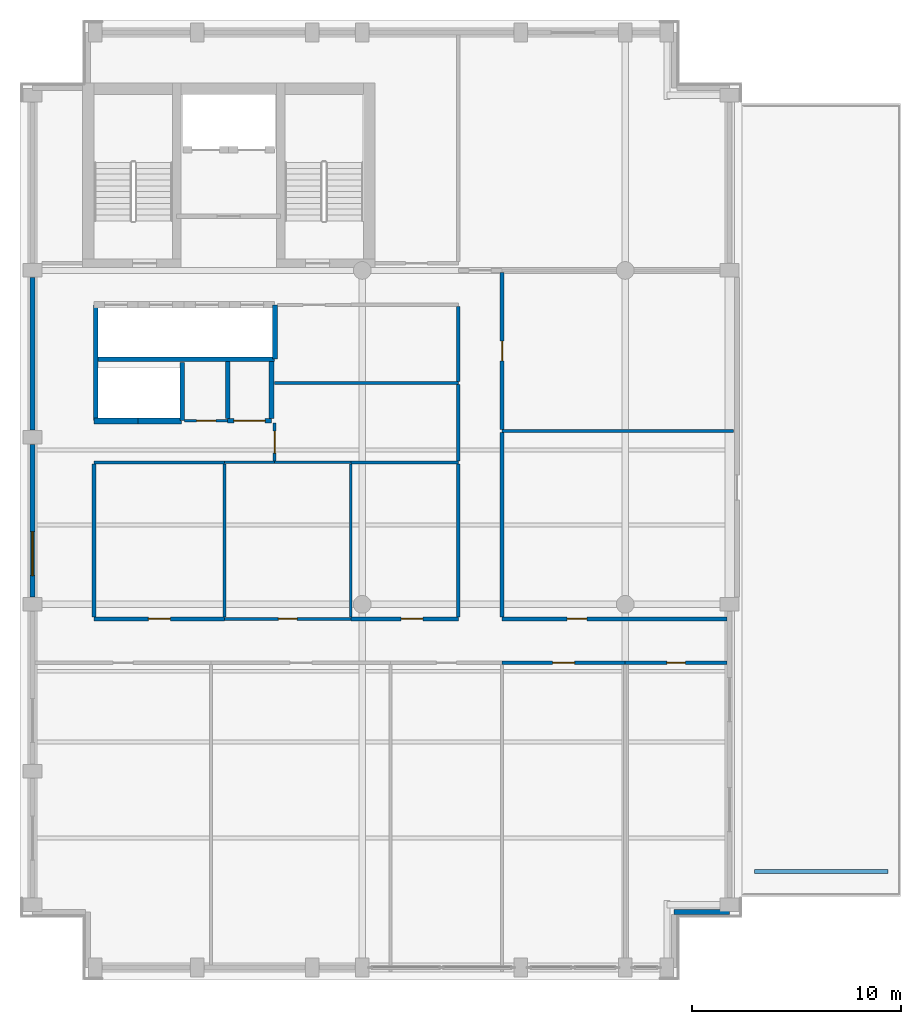
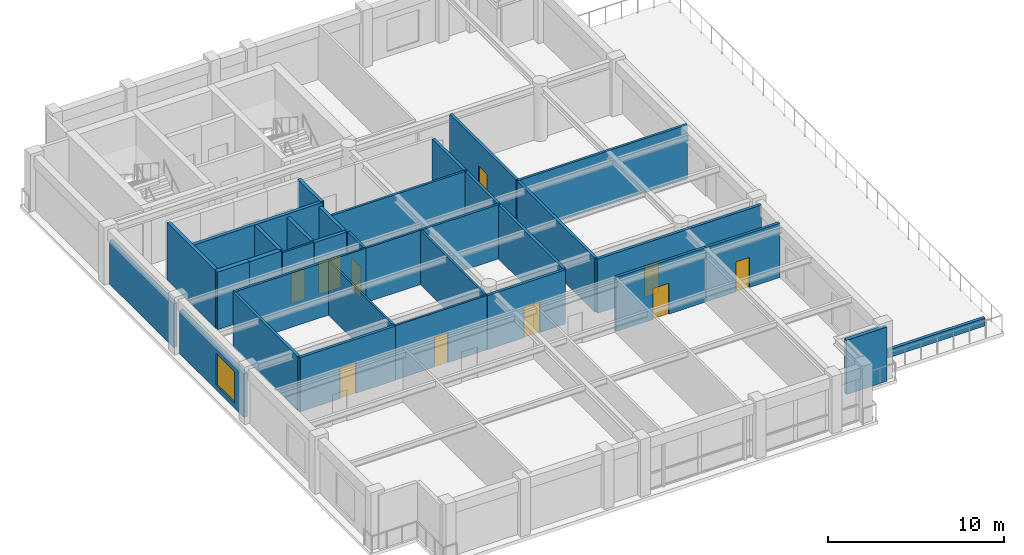
# One storey, part 4 of 9: 35 walls, 10 doors, 1 window, 11 openings.
"""IFC4 building model written with IfcOpenShell, lengths in metres."""

import ifcopenshell
import ifcopenshell.guid

model = None  # the IFC model being written
_history = None  # IfcOwnerHistory: only IFC2X3 demands one
_inside = {}  # id of a spatial element -> (the spatial element, [elements in it])
_under = {}  # id of a project, library or spatial element -> (it, [spatial elements below it])
_declared = {}  # id of a project -> (the project, [libraries it declares])
_typed = {}  # id of a type object -> (the type object, [elements of that type])
_made_of = {}  # id of a material, layer set ... -> (it, [elements and type objects made of it])


def new_model(schema):
    """Start an empty IFC model of exactly this schema.

    Asked for "IFC4X3", IfcOpenShell would pick the latest addendum, in which some entities
    have other attributes; the version numbers below select the first issue.
    IFC2X3 requires an IfcOwnerHistory on every rooted entity: one is made here for all.
    """
    global model, _history
    if schema == "IFC4X3":
        model = ifcopenshell.file(schema_version=(4, 3, 0, 0))
    else:
        model = ifcopenshell.file(schema=schema)
    _inside.clear()
    _under.clear()
    _declared.clear()
    _typed.clear()
    _made_of.clear()
    _history = None
    if model.schema == "IFC2X3":
        org = make("IfcOrganization", Name="unknown")
        user = make(
            "IfcPersonAndOrganization",
            ThePerson=make("IfcPerson", FamilyName="unknown"),
            TheOrganization=org,
        )
        app = make(
            "IfcApplication",
            ApplicationDeveloper=org,
            Version="unknown",
            ApplicationFullName="unknown",
            ApplicationIdentifier="unknown",
        )
        _history = make(
            "IfcOwnerHistory",
            OwningUser=user,
            OwningApplication=app,
            ChangeAction="ADDED",
            CreationDate=0,
        )
    return model


def make(cls, **values):
    """One entity of the class cls with the attributes given. An attribute that is None is left unset."""
    return model.create_entity(
        cls, **{name: value for name, value in values.items() if value is not None}
    )


def rooted(cls, **values):
    """An entity with a GlobalId (a new one), such as an element, a storey or a relation."""
    return make(cls, GlobalId=ifcopenshell.guid.new(), OwnerHistory=_history, **values)


def si_unit(unit_type, name, prefix=None):
    """IfcSIUnit, for example si_unit("LENGTHUNIT", "METRE", prefix="MILLI")."""
    return make("IfcSIUnit", UnitType=unit_type, Prefix=prefix, Name=name)


def assignment(units):
    """IfcUnitAssignment: the units of a project."""
    return None if units is None else make("IfcUnitAssignment", Units=units)


def point(xyz):
    """IfcCartesianPoint."""
    return None if xyz is None else make("IfcCartesianPoint", Coordinates=xyz)


def direction(xyz):
    """IfcDirection."""
    return None if xyz is None else make("IfcDirection", DirectionRatios=xyz)


def frame(location, z_axis=None, x_axis=None):
    """IfcAxis2Placement3D, a coordinate frame: its origin and axes. An axis left out is left unset."""
    return make(
        "IfcAxis2Placement3D",
        Location=point(location),
        Axis=direction(z_axis),
        RefDirection=direction(x_axis),
    )


def frame_2d(location, x_axis=None):
    """IfcAxis2Placement2D, a coordinate frame in the plane: its origin and x axis."""
    return make(
        "IfcAxis2Placement2D", Location=point(location), RefDirection=direction(x_axis)
    )


def origin():
    """The frame at (0, 0, 0) with its axes left unset."""
    return frame((0.0, 0.0, 0.0))


def place(relative_to, where):
    """IfcLocalPlacement: puts the frame where relative to a parent placement (None: the world)."""
    return make(
        "IfcLocalPlacement", PlacementRelTo=relative_to, RelativePlacement=where
    )


def context(
    kind, dimensions, precision=None, world=None, true_north=None, identifier=None
):
    """IfcGeometricRepresentationContext, for example the 3D "Model" context."""
    return make(
        "IfcGeometricRepresentationContext",
        ContextIdentifier=identifier,
        ContextType=kind,
        CoordinateSpaceDimension=dimensions,
        Precision=precision,
        WorldCoordinateSystem=world,
        TrueNorth=true_north,
    )


def subcontext(parent, identifier, kind, view, scale=None):
    """IfcGeometricRepresentationSubContext, for example "Body" below "Model"."""
    return make(
        "IfcGeometricRepresentationSubContext",
        ContextIdentifier=identifier,
        ContextType=kind,
        ParentContext=parent,
        TargetScale=scale,
        TargetView=view,
    )


def project(units=None, contexts=None):
    """IfcProject with its units and contexts."""
    return rooted(
        "IfcProject",
        Name="project",
        RepresentationContexts=contexts,
        UnitsInContext=assignment(units),
    )


def spatial(cls, under=None, at=None, **own):
    """A site, building, storey or space (cls), placed at a placement, below another one or the project."""
    s = rooted(cls, ObjectPlacement=at, **own)
    if under is not None:
        _under.setdefault(under.id(), (under, []))[1].append(s)
    return s


def profile(cls, at=None, kind="AREA", **sizes):
    """A parametric profile (cls). Its sizes go by their IFC names, for example OverallWidth=200.0."""
    return make(cls, ProfileType=kind, Position=at, **sizes)


def rectangle(**sizes):
    """IfcRectangleProfileDef."""
    return profile("IfcRectangleProfileDef", **sizes)


def extrude(swept, where, along, depth):
    """IfcExtrudedAreaSolid: the profile swept, set in the frame where, extruded along a direction by depth."""
    return make(
        "IfcExtrudedAreaSolid",
        SweptArea=swept,
        Position=where,
        ExtrudedDirection=direction(along),
        Depth=depth,
    )


def shape(context_of_items, identifier, shape_type, items):
    """IfcShapeRepresentation: the items that make up one representation, for example the "Body"."""
    return make(
        "IfcShapeRepresentation",
        ContextOfItems=context_of_items,
        RepresentationIdentifier=identifier,
        RepresentationType=shape_type,
        Items=items,
    )


def material(Name=None, Category=None):
    """IfcMaterial."""
    return make("IfcMaterial", Name=Name, Category=Category)


def layer(
    of_material, thickness, ventilated=None, Name=None, Category=None, Priority=None
):
    """IfcMaterialLayer: one layer of a wall or slab, of a material (None: an air gap)."""
    return make(
        "IfcMaterialLayer",
        Material=of_material,
        LayerThickness=thickness,
        IsVentilated=ventilated,
        Name=Name,
        Category=Category,
        Priority=Priority,
    )


def layer_set(layers, Name=None):
    """IfcMaterialLayerSet."""
    return make("IfcMaterialLayerSet", MaterialLayers=layers, LayerSetName=Name)


def made_of(thing, what):
    """Note that an element or type object is made of a material, layer set ...; save() writes the relation."""
    if what is not None:
        _made_of.setdefault(what.id(), (what, []))[1].append(thing)
    return thing


def type_object(cls, material=None, **own):
    """A type object (cls), such as IfcWallType, which elements share."""
    return made_of(rooted(cls, **own), material)


def element(
    cls,
    number,
    at=None,
    inside=None,
    cuts=None,
    type_object=None,
    material=None,
    context=None,
    identifier="Body",
    shape_type=None,
    held_by="IfcProductDefinitionShape",
    body=None,
    shapes=None,
    **own,
):
    """One element of the class cls, such as IfcWall. Its Tag is "e" and its number.

    at: its placement. inside: the storey or other place that contains it. cuts: it is an
    opening in that element (IfcRelVoidsElement). A single representation is given by context,
    identifier, shape_type and body (its items); several are given by shapes. held_by: the class
    of the entity that holds the representations. save() writes the other relations.
    """
    e = rooted(cls, Tag="e%d" % number, ObjectPlacement=at, **own)
    if body is not None:
        shapes = [shape(context, identifier, shape_type, body)]
    if shapes is not None:
        e.Representation = make(held_by, Representations=shapes)
    if inside is not None:
        _inside.setdefault(inside.id(), (inside, []))[1].append(e)
    if cuts is not None:
        rooted(
            "IfcRelVoidsElement", RelatingBuildingElement=cuts, RelatedOpeningElement=e
        )
    if type_object is not None:
        _typed.setdefault(type_object.id(), (type_object, []))[1].append(e)
    return made_of(e, material)


def fill(opening, filler):
    """IfcRelFillsElement: the door or window that sits in an opening."""
    return rooted(
        "IfcRelFillsElement",
        RelatingOpeningElement=opening,
        RelatedBuildingElement=filler,
    )


def aggregate(whole, parts):
    """IfcRelAggregates: a whole, such as a stair, and the parts it consists of."""
    return rooted("IfcRelAggregates", RelatingObject=whole, RelatedObjects=parts)


def save(model, path):
    """Write the relations noted so far, then the file.

    IfcRelAggregates (storeys below a building ...), IfcRelContainedInSpatialStructure (elements
    in a storey), IfcRelDefinesByType, IfcRelAssociatesMaterial and IfcRelDeclares: one each for
    every whole, place, type object, material and project.
    """
    for whole, parts in _under.values():
        aggregate(whole, parts)
    for where, things in _inside.values():
        rooted(
            "IfcRelContainedInSpatialStructure",
            RelatedElements=things,
            RelatingStructure=where,
        )
    for kind, things in _typed.values():
        rooted("IfcRelDefinesByType", RelatedObjects=things, RelatingType=kind)
    for what, things in _made_of.values():
        rooted("IfcRelAssociatesMaterial", RelatedObjects=things, RelatingMaterial=what)
    for by, libraries in _declared.values():
        rooted("IfcRelDeclares", RelatingContext=by, RelatedDefinitions=libraries)
    model.write(path)


model = new_model("IFC4")

# Units and contexts
model_context = context("Model", 3, precision=1e-05, world=origin(), true_north=direction((0.0, 1.0)))
body_context = subcontext(model_context, "Body", "Model", "MODEL_VIEW")
ifc_project = project(units=[si_unit("LENGTHUNIT", "METRE"), si_unit("AREAUNIT", "SQUARE_METRE"), si_unit("VOLUMEUNIT", "CUBIC_METRE"), si_unit("PLANEANGLEUNIT", "RADIAN"), si_unit("MASSUNIT", "GRAM", prefix="KILO")], contexts=[model_context])

# Site, building, storey
site_placement = place(None, origin())
site = spatial("IfcSite", under=ifc_project, at=site_placement, CompositionType="ELEMENT")
building_placement = place(site_placement, origin())
building = spatial("IfcBuilding", under=site, at=building_placement, Name="Sulina Concourse Tower", CompositionType="ELEMENT")
storey_placement = place(building_placement, frame((0.0, 0.0, 305.0)))
storey = spatial("IfcBuildingStorey", under=building, at=storey_placement, Name="L74", CompositionType="ELEMENT", Elevation=305.0)

# Walls
ifc_material_1 = material(Name="Concrete C50/60", Category="concrete")
ifc_layer_1 = layer(ifc_material_1, 0.219970703125)
ifc_layer_set_1 = layer_set([ifc_layer_1], Name="Concrete C50/60")
wall_type_1 = type_object("IfcWallType", Name="Core Lift Hoistway Divider Wall 220mm", PredefinedType="SOLIDWALL", material=ifc_layer_set_1)
wall_1_placement = place(storey_placement, frame((3.550048828125, 29.75, 0.0), z_axis=(0.0, 0.0, 1.0), x_axis=(1.0, 0.0, 0.0)))
element("IfcWall", 1, at=wall_1_placement, inside=storey, type_object=wall_type_1, Name="L74 shaft divider wall HW-LP3-S", PredefinedType="SOLIDWALL", context=body_context, shape_type="SweptSolid", body=[
    extrude(rectangle(XDim=8.64990234375, YDim=0.219970703125, at=frame_2d((4.324951171875, 0.0))), origin(), (0.0, 0.0, 1.0), 4.0),
])
wall_2_placement = place(storey_placement, frame((3.6298828125, 26.800048828125, 0.0), z_axis=(0.0, 0.0, 1.0), x_axis=(0.0, 1.0, 0.0)))
element("IfcWall", 2, at=wall_2_placement, inside=storey, type_object=wall_type_1, Name="L74 shaft divider wall HW-LP3-W", PredefinedType="SOLIDWALL", context=body_context, shape_type="SweptSolid", body=[
    extrude(rectangle(XDim=5.550048828125, YDim=0.219970703125, at=frame_2d((2.77490234375, 0.0))), origin(), (0.0, 0.0, 1.0), 4.0),
])
wall_3_placement = place(storey_placement, frame((7.780029296875, 26.800048828125, 0.0), z_axis=(0.0, 0.0, 1.0), x_axis=(0.0, 1.0, 0.0)))
element("IfcWall", 3, at=wall_3_placement, inside=storey, type_object=wall_type_1, Name="L74 shaft divider wall HW-EXP-E", PredefinedType="SOLIDWALL", context=body_context, shape_type="SweptSolid", body=[
    extrude(rectangle(XDim=2.800048828125, YDim=0.219970703125, at=frame_2d((1.39990234375, 0.0))), origin(), (0.0, 0.0, 1.0), 4.0),
])
wall_4_placement = place(storey_placement, frame((12.219970703125, 29.75, 0.0), z_axis=(0.0, 0.0, 1.0), x_axis=(0.0, 1.0, 0.0)))
element("IfcWall", 4, at=wall_4_placement, inside=storey, type_object=wall_type_1, Name="L74 shaft divider wall HW-LP3-E", PredefinedType="SOLIDWALL", context=body_context, shape_type="SweptSolid", body=[
    extrude(rectangle(XDim=2.60009765625, YDim=0.219970703125, at=frame_2d((1.300048828125, 0.0))), origin(), (0.0, 0.0, 1.0), 4.0),
])
ifc_material_2 = material(Name="Concrete C50/60", Category="concrete")
ifc_layer_2 = layer(ifc_material_2, 0.300048828125)
ifc_layer_set_2 = layer_set([ifc_layer_2], Name="Concrete C50/60")
wall_type_2 = type_object("IfcWallType", Name="Core Lift Hoistway Wall 300mm", PredefinedType="SOLIDWALL", material=ifc_layer_set_2)
wall_5_placement = place(storey_placement, frame((5.64990234375, 26.780029296875, 0.0), z_axis=(0.0, 0.0, 1.0), x_axis=(-1.0, 0.0, 0.0)))
element("IfcWall", 5, at=wall_5_placement, inside=storey, type_object=wall_type_2, Name="L74 hoistway enclosure wall EXP-1", PredefinedType="SOLIDWALL", context=body_context, shape_type="SweptSolid", body=[
    extrude(rectangle(XDim=2.099853515625, YDim=0.300048828125, at=frame_2d((1.0498046875, 0.0))), origin(), (0.0, 0.0, 1.0), 4.0),
])
wall_6_placement = place(storey_placement, frame((7.75, 26.780029296875, 0.0), z_axis=(0.0, 0.0, 1.0), x_axis=(-1.0, 0.0, 0.0)))
element("IfcWall", 6, at=wall_6_placement, inside=storey, type_object=wall_type_2, Name="L74 hoistway enclosure wall EXP-2", PredefinedType="SOLIDWALL", context=body_context, shape_type="SweptSolid", body=[
    extrude(rectangle(XDim=2.10009765625, YDim=0.300048828125, at=frame_2d((1.050048828125, 0.0))), origin(), (0.0, 0.0, 1.0), 4.0),
])

# Wall, opening, window
ifc_material_3 = material(Name="Precast concrete C50/60", Category="concrete")
ifc_layer_3 = layer(ifc_material_3, 0.239990234375)
ifc_layer_set_3 = layer_set([ifc_layer_3], Name="Precast concrete C50/60")
wall_type_3 = type_object("IfcWallType", Name="Crown Precast Masonry-Frame Facade Wall 240mm", PredefinedType="SOLIDWALL", material=ifc_layer_set_3)
wall_7_placement = place(storey_placement, frame((0.60009765625, 18.344970703125, 0.0), z_axis=(0.0, 0.0, 1.0), x_axis=(0.0, 1.0, 0.0)))
wall_7 = element("IfcWall", 7, at=wall_7_placement, inside=storey, type_object=wall_type_3, Name="L74 exterior precast wall W3", PredefinedType="SOLIDWALL", context=body_context, shape_type="SweptSolid", body=[
    extrude(rectangle(XDim=7.31005859375, YDim=0.239990234375, at=frame_2d((3.655029296875, 0.0))), origin(), (0.0, 0.0, 1.0), 3.02490234375),
])
opening_1_placement = place(wall_7_placement, frame((1.03662109375, 0.0, 0.35009765625)))
opening_1 = element("IfcOpeningElement", 8, at=opening_1_placement, cuts=wall_7, Name="Opening WN-33", PredefinedType="OPENING", context=body_context, shape_type="SweptSolid", body=[
    extrude(rectangle(XDim=2.10009765625, YDim=2.199951171875, at=frame_2d((1.050048828125, 1.10009765625))), frame((0.0, 0.1298828125, 0.0), z_axis=(0.0, -1.0, 0.0), x_axis=(1.0, 0.0, 0.0)), (0.0, 0.0, 1.0), 0.260009765625),
])
ifc_material_4 = material(Name="Low-E solar double glazing in bronze aluminium", Category="aluminium")
window_type = type_object("IfcWindowType", Name="Punched Masonry-Frame Window 2100x2200", PartitioningType="DOUBLE_PANEL_VERTICAL", PredefinedType="WINDOW", material=ifc_material_4)
window_placement = place(opening_1_placement, origin())
window = element("IfcWindow", 9, at=window_placement, inside=storey, type_object=window_type, Name="L74 punched window W3-1", OverallHeight=2.199951171875, OverallWidth=2.10009765625, PartitioningType="SINGLE_PANEL", PredefinedType="WINDOW", context=body_context, shape_type="SweptSolid", body=[
    extrude(rectangle(XDim=2.10009765625, YDim=2.199951171875, at=frame_2d((1.050048828125, 1.10009765625))), frame((0.0, 0.030029296875, 0.0), z_axis=(0.0, -1.0, 0.0), x_axis=(1.0, 0.0, 0.0)), (0.0, 0.0, 1.0), 0.06005859375),
])
fill(opening_1, window)

# Walls
wall_8_placement = place(storey_placement, frame((0.60009765625, 26.344970703125, 0.0), z_axis=(0.0, 0.0, 1.0), x_axis=(0.0, 1.0, 0.0)))
element("IfcWall", 10, at=wall_8_placement, inside=storey, type_object=wall_type_3, Name="L74 exterior precast wall W4", PredefinedType="SOLIDWALL", context=body_context, shape_type="SweptSolid", body=[
    extrude(rectangle(XDim=7.31005859375, YDim=0.239990234375, at=frame_2d((3.655029296875, 0.0))), origin(), (0.0, 0.0, 1.0), 3.02490234375),
])
wall_9_placement = place(storey_placement, frame((34.0, 3.2548828125, 0.0), z_axis=(0.0, 0.0, 1.0), x_axis=(-1.0, 0.0, 0.0)))
element("IfcWall", 11, at=wall_9_placement, inside=storey, type_object=wall_type_3, Name="L74 exterior precast wall CSE1", PredefinedType="SOLIDWALL", context=body_context, shape_type="SweptSolid", body=[
    extrude(rectangle(XDim=2.655029296875, YDim=0.239990234375, at=frame_2d((1.32763671875, 0.0))), origin(), (0.0, 0.0, 1.0), 3.77490234375),
])

# Wall, opening, door
ifc_material_5 = material(Name="Gypsum board on steel stud", Category="steel")
ifc_layer_4 = layer(ifc_material_5, 0.219970703125)
ifc_layer_set_4 = layer_set([ifc_layer_4], Name="Gypsum board on steel stud")
wall_type_4 = type_object("IfcWallType", Name="Fire-Rated Lobby & Compartment Wall 220mm", PredefinedType="PARTITIONING", material=ifc_layer_set_4)
wall_10_placement = place(storey_placement, frame((9.949951171875, 26.800048828125, 0.0), z_axis=(0.0, 0.0, 1.0), x_axis=(1.0, 0.0, 0.0)))
wall_10 = element("IfcWall", 12, at=wall_10_placement, inside=storey, type_object=wall_type_4, Name="L74 interior partition 016", PredefinedType="PARTITIONING", context=body_context, shape_type="SweptSolid", body=[
    extrude(rectangle(XDim=2.10009765625, YDim=0.219970703125, at=frame_2d((1.050048828125, 0.0))), origin(), (0.0, 0.0, 1.0), 3.77490234375),
])
opening_2_placement = place(wall_10_placement, frame((0.300048828125, 0.0, 0.0)))
opening_2 = element("IfcOpeningElement", 13, at=opening_2_placement, cuts=wall_10, Name="Opening DR-80", PredefinedType="OPENING", context=body_context, shape_type="SweptSolid", body=[
    extrude(rectangle(XDim=1.5, YDim=2.25, at=frame_2d((0.75, 1.125))), frame((0.0, 0.119873046875, 0.0), z_axis=(0.0, -1.0, 0.0), x_axis=(1.0, 0.0, 0.0)), (0.0, 0.0, 1.0), 0.239990234375),
])
ifc_material_6 = material(Name="Galvanised steel acoustic fire leaf", Category="steel")
ifc_layer_5 = layer(ifc_material_6, 0.054931640625)
ifc_layer_set_5 = layer_set([ifc_layer_5], Name="Galvanised steel acoustic fire leaf")
door_type_1 = type_object("IfcDoorType", Name="Mechanical Plant Double Fire Door 1500x2250", OperationType="DOUBLE_DOOR_SINGLE_SWING", PredefinedType="DOOR", material=ifc_layer_set_5)
door_1_placement = place(opening_2_placement, origin())
door_1 = element("IfcDoor", 14, at=door_1_placement, inside=storey, type_object=door_type_1, Name="L74 interior door L74-IT-IDF", OperationType="DOUBLE_DOOR_SINGLE_SWING", OverallHeight=2.25, OverallWidth=1.5, PredefinedType="DOOR", context=body_context, shape_type="SweptSolid", body=[
    extrude(rectangle(XDim=1.5, YDim=2.25, at=frame_2d((0.75, 1.125))), frame((0.0, 0.02490234375, 0.0), z_axis=(0.0, -1.0, 0.0), x_axis=(1.0, 0.0, 0.0)), (0.0, 0.0, 1.0), 0.050048828125),
])
fill(opening_2, door_1)

# Walls
for number, where, z_axis, x_axis, name in (
    (15, (9.949951171875, 26.909912109375, 0.0), (0.0, 0.0, 1.0), (0.0, 1.0, 0.0), "L74 interior partition 028"),
    (16, (12.050048828125, 26.909912109375, 0.0), (0.0, 0.0, 1.0), (0.0, 1.0, 0.0), "L74 interior partition 029"),
):
    element("IfcWall", number, at=place(storey_placement, frame(where, z_axis=z_axis, x_axis=x_axis)), inside=storey, type_object=wall_type_4, Name=name, PredefinedType="PARTITIONING", context=body_context, shape_type="SweptSolid", body=[
        extrude(rectangle(XDim=2.72998046875, YDim=0.219970703125, at=frame_2d((1.364990234375, 0.0))), origin(), (0.0, 0.0, 1.0), 3.77490234375),
    ])
ifc_material_7 = material(Name="Gypsum board on steel stud", Category="steel")
ifc_layer_6 = layer(ifc_material_7, 0.14990234375)
ifc_layer_set_6 = layer_set([ifc_layer_6], Name="Gypsum board on steel stud")
wall_type_5 = type_object("IfcWallType", Name="Inter-Tenancy Acoustic Partition 150mm", PredefinedType="PARTITIONING", material=ifc_layer_set_6)
wall_11_placement = place(storey_placement, frame((3.550048828125, 24.800048828125, 0.0), z_axis=(0.0, 0.0, 1.0), x_axis=(1.0, 0.0, 0.0)))
element("IfcWall", 17, at=wall_11_placement, inside=storey, type_object=wall_type_5, Name="L74 interior partition 010", PredefinedType="PARTITIONING", context=body_context, shape_type="SweptSolid", body=[
    extrude(rectangle(XDim=6.25, YDim=0.14990234375, at=frame_2d((3.125, 0.0))), origin(), (0.0, 0.0, 1.0), 3.77490234375),
])
wall_12_placement = place(storey_placement, frame((15.85009765625, 24.800048828125, 0.0), z_axis=(0.0, 0.0, 1.0), x_axis=(1.0, 0.0, 0.0)))
element("IfcWall", 18, at=wall_12_placement, inside=storey, type_object=wall_type_5, Name="L74 interior partition 013", PredefinedType="PARTITIONING", context=body_context, shape_type="SweptSolid", body=[
    extrude(rectangle(XDim=5.14990234375, YDim=0.14990234375, at=frame_2d((2.574951171875, 0.0))), origin(), (0.0, 0.0, 1.0), 3.77490234375),
])
wall_13_placement = place(storey_placement, frame((23.10009765625, 26.300048828125, 0.0), z_axis=(0.0, 0.0, 1.0), x_axis=(1.0, 0.0, 0.0)))
element("IfcWall", 19, at=wall_13_placement, inside=storey, type_object=wall_type_5, Name="L74 interior partition 014", PredefinedType="PARTITIONING", context=body_context, shape_type="SweptSolid", body=[
    extrude(rectangle(XDim=11.099853515625, YDim=0.14990234375, at=frame_2d((5.5498046875, 0.0))), origin(), (0.0, 0.0, 1.0), 3.77490234375),
])
wall_14_placement = place(storey_placement, frame((12.199951171875, 28.60009765625, 0.0), z_axis=(0.0, 0.0, 1.0), x_axis=(1.0, 0.0, 0.0)))
element("IfcWall", 20, at=wall_14_placement, inside=storey, type_object=wall_type_5, Name="L74 interior partition 017", PredefinedType="PARTITIONING", context=body_context, shape_type="SweptSolid", body=[
    extrude(rectangle(XDim=8.800048828125, YDim=0.14990234375, at=frame_2d((4.39990234375, 0.0))), origin(), (0.0, 0.0, 1.0), 3.77490234375),
])

# Wall, opening, door
wall_15_placement = place(storey_placement, frame((12.199951171875, 24.862548828125, 0.0), z_axis=(0.0, 0.0, 1.0), x_axis=(0.0, 1.0, 0.0)))
wall_15 = element("IfcWall", 21, at=wall_15_placement, inside=storey, type_object=wall_type_5, Name="L74 interior partition 030", PredefinedType="PARTITIONING", context=body_context, shape_type="SweptSolid", body=[
    extrude(rectangle(XDim=1.827392578125, YDim=0.14990234375, at=frame_2d((0.91357421875, 0.0))), origin(), (0.0, 0.0, 1.0), 3.77490234375),
])
opening_3_placement = place(wall_15_placement, frame((0.388916015625, 0.0, 0.0)))
opening_3 = element("IfcOpeningElement", 22, at=opening_3_placement, cuts=wall_15, Name="Opening DR-37", PredefinedType="OPENING", context=body_context, shape_type="SweptSolid", body=[
    extrude(rectangle(XDim=1.050048828125, YDim=2.14990234375, at=frame_2d((0.52490234375, 1.074951171875))), frame((0.0, 0.0849609375, 0.0), z_axis=(0.0, -1.0, 0.0), x_axis=(1.0, 0.0, 0.0)), (0.0, 0.0, 1.0), 0.169921875),
])
ifc_material_8 = material(Name="Oak-veneered fire door leaf")
ifc_layer_7 = layer(ifc_material_8, 0.050048828125)
ifc_layer_set_7 = layer_set([ifc_layer_7], Name="Oak-veneered fire door leaf")
door_type_2 = type_object("IfcDoorType", Name="Tenant Suite Entrance Fire Door 1050x2150", OperationType="NOTDEFINED", PredefinedType="DOOR", material=ifc_layer_set_7)
door_2_placement = place(opening_3_placement, origin())
door_2 = element("IfcDoor", 23, at=door_2_placement, inside=storey, type_object=door_type_2, Name="L74 interior door L74-MR-MRG1", OperationType="SINGLE_SWING_LEFT", OverallHeight=2.14990234375, OverallWidth=1.050048828125, PredefinedType="DOOR", context=body_context, shape_type="SweptSolid", body=[
    extrude(rectangle(XDim=1.050048828125, YDim=2.14990234375, at=frame_2d((0.52490234375, 1.074951171875))), frame((0.0, 0.02490234375, 0.0), z_axis=(0.0, -1.0, 0.0), x_axis=(1.0, 0.0, 0.0)), (0.0, 0.0, 1.0), 0.050048828125),
])
fill(opening_3, door_2)

# Wall
ifc_material_9 = material(Name="Precast concrete C50/60", Category="concrete")
ifc_layer_8 = layer(ifc_material_9, 0.199951171875)
ifc_layer_set_8 = layer_set([ifc_layer_8], Name="Precast concrete C50/60")
wall_type_6 = type_object("IfcWallType", Name="Landscaped Terrace Planter Wall 200mm", PredefinedType="USERDEFINED", material=ifc_layer_set_8)
wall_16_placement = place(storey_placement, frame((35.199951171875, 5.199951171875, 0.0), z_axis=(0.0, 0.0, 1.0), x_axis=(1.0, 0.0, 0.0)))
element("IfcWall", 24, at=wall_16_placement, inside=storey, type_object=wall_type_6, Name="L74 landscaped terrace planter wall TER-CR3", ObjectType="PLANTER", PredefinedType="USERDEFINED", context=body_context, shape_type="SweptSolid", body=[
    extrude(rectangle(XDim=6.400146484375, YDim=0.199951171875, at=frame_2d((3.2001953125, 0.0))), origin(), (0.0, 0.0, 1.0), 0.550048828125),
])

# Wall, opening, door
ifc_material_10 = material(Name="Gypsum board on steel stud", Category="steel")
ifc_layer_9 = layer(ifc_material_10, 0.179931640625)
ifc_layer_set_9 = layer_set([ifc_layer_9], Name="Gypsum board on steel stud")
wall_type_7 = type_object("IfcWallType", Name="Protected Corridor & Riser Partition 180mm", PredefinedType="PARTITIONING", material=ifc_layer_set_9)
wall_17_placement = place(storey_placement, frame((23.10009765625, 15.199951171875, 0.0), z_axis=(0.0, 0.0, 1.0), x_axis=(1.0, 0.0, 0.0)))
wall_17 = element("IfcWall", 25, at=wall_17_placement, inside=storey, type_object=wall_type_7, Name="L74 interior partition 004", PredefinedType="PARTITIONING", context=body_context, shape_type="SweptSolid", body=[
    extrude(rectangle(XDim=5.89990234375, YDim=0.179931640625, at=frame_2d((2.949951171875, 0.0))), origin(), (0.0, 0.0, 1.0), 3.77490234375),
])
opening_4_placement = place(wall_17_placement, frame((2.425048828125, 0.0, 0.0)))
opening_4 = element("IfcOpeningElement", 26, at=opening_4_placement, cuts=wall_17, Name="Opening DR-37", PredefinedType="OPENING", context=body_context, shape_type="SweptSolid", body=[
    extrude(rectangle(XDim=1.050048828125, YDim=2.14990234375, at=frame_2d((0.52490234375, 1.074951171875))), frame((0.0, 0.099853515625, 0.0), z_axis=(0.0, -1.0, 0.0), x_axis=(1.0, 0.0, 0.0)), (0.0, 0.0, 1.0), 0.199951171875),
])
door_3_placement = place(opening_4_placement, origin())
door_3 = element("IfcDoor", 27, at=door_3_placement, inside=storey, type_object=door_type_2, Name="L74 interior door L74-S04", OperationType="SINGLE_SWING_LEFT", OverallHeight=2.14990234375, OverallWidth=1.050048828125, PredefinedType="DOOR", context=body_context, shape_type="SweptSolid", body=[
    extrude(rectangle(XDim=1.050048828125, YDim=2.14990234375, at=frame_2d((0.52490234375, 1.074951171875))), frame((0.0, 0.02490234375, 0.0), z_axis=(0.0, -1.0, 0.0), x_axis=(1.0, 0.0, 0.0)), (0.0, 0.0, 1.0), 0.050048828125),
])
fill(opening_4, door_3)

wall_18_placement = place(storey_placement, frame((29.0, 15.199951171875, 0.0), z_axis=(0.0, 0.0, 1.0), x_axis=(1.0, 0.0, 0.0)))
wall_18 = element("IfcWall", 28, at=wall_18_placement, inside=storey, type_object=wall_type_7, Name="L74 interior partition 005", PredefinedType="PARTITIONING", context=body_context, shape_type="SweptSolid", body=[
    extrude(rectangle(XDim=4.8798828125, YDim=0.179931640625, at=frame_2d((2.43994140625, 0.0))), origin(), (0.0, 0.0, 1.0), 3.77490234375),
])
opening_5_placement = place(wall_18_placement, frame((2.0, 0.0, 0.0)))
opening_5 = element("IfcOpeningElement", 29, at=opening_5_placement, cuts=wall_18, Name="Opening DR-38", PredefinedType="OPENING", context=body_context, shape_type="SweptSolid", body=[
    extrude(rectangle(XDim=0.8798828125, YDim=2.10009765625, at=frame_2d((0.43994140625, 1.050048828125))), frame((0.0, 0.099853515625, 0.0), z_axis=(0.0, -1.0, 0.0), x_axis=(1.0, 0.0, 0.0)), (0.0, 0.0, 1.0), 0.199951171875),
])
ifc_material_11 = material(Name="Galvanised steel acoustic fire leaf", Category="steel")
ifc_layer_10 = layer(ifc_material_11, 0.050048828125)
ifc_layer_set_10 = layer_set([ifc_layer_10], Name="Galvanised steel acoustic fire leaf")
door_type_3 = type_object("IfcDoorType", Name="Service Riser Fire Door 880x2100", OperationType="NOTDEFINED", PredefinedType="DOOR", material=ifc_layer_set_10)
door_4_placement = place(opening_5_placement, origin())
door_4 = element("IfcDoor", 30, at=door_4_placement, inside=storey, type_object=door_type_3, Name="L74 interior door L74-S05", OperationType="SINGLE_SWING_RIGHT", OverallHeight=2.10009765625, OverallWidth=0.8798828125, PredefinedType="DOOR", context=body_context, shape_type="SweptSolid", body=[
    extrude(rectangle(XDim=0.8798828125, YDim=2.10009765625, at=frame_2d((0.43994140625, 1.050048828125))), frame((0.0, 0.02490234375, 0.0), z_axis=(0.0, -1.0, 0.0), x_axis=(1.0, 0.0, 0.0)), (0.0, 0.0, 1.0), 0.050048828125),
])
fill(opening_5, door_4)

wall_19_placement = place(storey_placement, frame((3.550048828125, 17.300048828125, 0.0), z_axis=(0.0, 0.0, 1.0), x_axis=(1.0, 0.0, 0.0)))
wall_19 = element("IfcWall", 31, at=wall_19_placement, inside=storey, type_object=wall_type_7, Name="L74 interior partition 006", PredefinedType="PARTITIONING", context=body_context, shape_type="SweptSolid", body=[
    extrude(rectangle(XDim=6.25, YDim=0.179931640625, at=frame_2d((3.125, 0.0))), origin(), (0.0, 0.0, 1.0), 3.77490234375),
])
opening_6_placement = place(wall_19_placement, frame((2.60009765625, 0.0, 0.0)))
opening_6 = element("IfcOpeningElement", 32, at=opening_6_placement, cuts=wall_19, Name="Opening DR-37", PredefinedType="OPENING", context=body_context, shape_type="SweptSolid", body=[
    extrude(rectangle(XDim=1.050048828125, YDim=2.14990234375, at=frame_2d((0.52490234375, 1.074951171875))), frame((0.0, 0.099853515625, 0.0), z_axis=(0.0, -1.0, 0.0), x_axis=(1.0, 0.0, 0.0)), (0.0, 0.0, 1.0), 0.199951171875),
])
door_5_placement = place(opening_6_placement, origin())
door_5 = element("IfcDoor", 33, at=door_5_placement, inside=storey, type_object=door_type_2, Name="L74 interior door L74-LR-MRG1", OperationType="SINGLE_SWING_LEFT", OverallHeight=2.14990234375, OverallWidth=1.050048828125, PredefinedType="DOOR", context=body_context, shape_type="SweptSolid", body=[
    extrude(rectangle(XDim=1.050048828125, YDim=2.14990234375, at=frame_2d((0.52490234375, 1.074951171875))), frame((0.0, 0.02490234375, 0.0), z_axis=(0.0, -1.0, 0.0), x_axis=(1.0, 0.0, 0.0)), (0.0, 0.0, 1.0), 0.050048828125),
])
fill(opening_6, door_5)

wall_20_placement = place(storey_placement, frame((15.85009765625, 17.300048828125, 0.0), z_axis=(0.0, 0.0, 1.0), x_axis=(1.0, 0.0, 0.0)))
wall_20 = element("IfcWall", 34, at=wall_20_placement, inside=storey, type_object=wall_type_7, Name="L74 interior partition 008", PredefinedType="PARTITIONING", context=body_context, shape_type="SweptSolid", body=[
    extrude(rectangle(XDim=5.14990234375, YDim=0.179931640625, at=frame_2d((2.574951171875, 0.0))), origin(), (0.0, 0.0, 1.0), 3.77490234375),
])
opening_7_placement = place(wall_20_placement, frame((2.409912109375, 0.0, 0.0)))
opening_7 = element("IfcOpeningElement", 35, at=opening_7_placement, cuts=wall_20, Name="Opening DR-37", PredefinedType="OPENING", context=body_context, shape_type="SweptSolid", body=[
    extrude(rectangle(XDim=1.050048828125, YDim=2.14990234375, at=frame_2d((0.52490234375, 1.074951171875))), frame((0.0, 0.099853515625, 0.0), z_axis=(0.0, -1.0, 0.0), x_axis=(1.0, 0.0, 0.0)), (0.0, 0.0, 1.0), 0.199951171875),
])
door_6_placement = place(opening_7_placement, origin())
door_6 = element("IfcDoor", 36, at=door_6_placement, inside=storey, type_object=door_type_2, Name="L74 interior door L74-CR-PKW", OperationType="SINGLE_SWING_LEFT", OverallHeight=2.14990234375, OverallWidth=1.050048828125, PredefinedType="DOOR", context=body_context, shape_type="SweptSolid", body=[
    extrude(rectangle(XDim=1.050048828125, YDim=2.14990234375, at=frame_2d((0.52490234375, 1.074951171875))), frame((0.0, 0.02490234375, 0.0), z_axis=(0.0, -1.0, 0.0), x_axis=(1.0, 0.0, 0.0)), (0.0, 0.0, 1.0), 0.050048828125),
])
fill(opening_7, door_6)

wall_21_placement = place(storey_placement, frame((23.10009765625, 17.300048828125, 0.0), z_axis=(0.0, 0.0, 1.0), x_axis=(1.0, 0.0, 0.0)))
wall_21 = element("IfcWall", 37, at=wall_21_placement, inside=storey, type_object=wall_type_7, Name="L74 interior partition 009", PredefinedType="PARTITIONING", context=body_context, shape_type="SweptSolid", body=[
    extrude(rectangle(XDim=10.77978515625, YDim=0.179931640625, at=frame_2d((5.389892578125, 0.0))), origin(), (0.0, 0.0, 1.0), 3.77490234375),
])
opening_8_placement = place(wall_21_placement, frame((3.114990234375, 0.0, 0.0)))
opening_8 = element("IfcOpeningElement", 38, at=opening_8_placement, cuts=wall_21, Name="Opening DR-19", PredefinedType="OPENING", context=body_context, shape_type="SweptSolid", body=[
    extrude(rectangle(XDim=0.949951171875, YDim=2.14990234375, at=frame_2d((0.47509765625, 1.074951171875))), frame((0.0, 0.099853515625, 0.0), z_axis=(0.0, -1.0, 0.0), x_axis=(1.0, 0.0, 0.0)), (0.0, 0.0, 1.0), 0.199951171875),
])
ifc_material_12 = material(Name="Oak-veneered acoustic timber leaf", Category="wood")
ifc_layer_11 = layer(ifc_material_12, 0.050048828125)
ifc_layer_set_11 = layer_set([ifc_layer_11], Name="Oak-veneered acoustic timber leaf")
door_type_4 = type_object("IfcDoorType", Name="Cellular Office & Meeting Door 950x2150", OperationType="NOTDEFINED", PredefinedType="DOOR", material=ifc_layer_set_11)
door_7_placement = place(opening_8_placement, origin())
door_7 = element("IfcDoor", 39, at=door_7_placement, inside=storey, type_object=door_type_4, Name="L74 interior door L74-CR-E1", OperationType="SINGLE_SWING_RIGHT", OverallHeight=2.14990234375, OverallWidth=0.949951171875, PredefinedType="DOOR", context=body_context, shape_type="SweptSolid", body=[
    extrude(rectangle(XDim=0.949951171875, YDim=2.14990234375, at=frame_2d((0.47509765625, 1.074951171875))), frame((0.0, 0.02490234375, 0.0), z_axis=(0.0, -1.0, 0.0), x_axis=(1.0, 0.0, 0.0)), (0.0, 0.0, 1.0), 0.050048828125),
])
fill(opening_8, door_7)

# Walls
for number, where, z_axis, x_axis, name in (
    (40, (3.550048828125, 17.389892578125, 0.0), (0.0, 0.0, 1.0), (0.0, 1.0, 0.0), "L74 interior partition 025"),
    (41, (21.0, 17.389892578125, 0.0), (0.0, 0.0, 1.0), (0.0, 1.0, 0.0), "L74 interior partition 033"),
):
    element("IfcWall", number, at=place(storey_placement, frame(where, z_axis=z_axis, x_axis=x_axis)), inside=storey, type_object=wall_type_7, Name=name, PredefinedType="PARTITIONING", context=body_context, shape_type="SweptSolid", body=[
        extrude(rectangle(XDim=7.335205078125, YDim=0.179931640625, at=frame_2d((3.66748046875, 0.0))), origin(), (0.0, 0.0, 1.0), 3.77490234375),
    ])
wall_22_placement = place(storey_placement, frame((21.0, 24.875, 0.0), z_axis=(0.0, 0.0, 1.0), x_axis=(0.0, 1.0, 0.0)))
element("IfcWall", 42, at=wall_22_placement, inside=storey, type_object=wall_type_7, Name="L74 interior partition 034", PredefinedType="PARTITIONING", context=body_context, shape_type="SweptSolid", body=[
    extrude(rectangle(XDim=3.64990234375, YDim=0.179931640625, at=frame_2d((1.824951171875, 0.0))), origin(), (0.0, 0.0, 1.0), 3.77490234375),
])
wall_23_placement = place(storey_placement, frame((21.0, 28.675048828125, 0.0), z_axis=(0.0, 0.0, 1.0), x_axis=(0.0, 1.0, 0.0)))
element("IfcWall", 43, at=wall_23_placement, inside=storey, type_object=wall_type_7, Name="L74 interior partition 035", PredefinedType="PARTITIONING", context=body_context, shape_type="SweptSolid", body=[
    extrude(rectangle(XDim=3.5849609375, YDim=0.179931640625, at=frame_2d((1.79248046875, 0.0))), origin(), (0.0, 0.0, 1.0), 3.77490234375),
])
wall_24_placement = place(storey_placement, frame((23.10009765625, 17.389892578125, 0.0), z_axis=(0.0, 0.0, 1.0), x_axis=(0.0, 1.0, 0.0)))
element("IfcWall", 44, at=wall_24_placement, inside=storey, type_object=wall_type_7, Name="L74 interior partition 038", PredefinedType="PARTITIONING", context=body_context, shape_type="SweptSolid", body=[
    extrude(rectangle(XDim=8.835205078125, YDim=0.179931640625, at=frame_2d((4.41748046875, 0.0))), origin(), (0.0, 0.0, 1.0), 3.77490234375),
])

# Wall, opening, door
wall_25_placement = place(storey_placement, frame((23.10009765625, 26.375, 0.0), z_axis=(0.0, 0.0, 1.0), x_axis=(0.0, 1.0, 0.0)))
wall_25 = element("IfcWall", 45, at=wall_25_placement, inside=storey, type_object=wall_type_7, Name="L74 interior partition 039", PredefinedType="PARTITIONING", context=body_context, shape_type="SweptSolid", body=[
    extrude(rectangle(XDim=7.534912109375, YDim=0.179931640625, at=frame_2d((3.767578125, 0.0))), origin(), (0.0, 0.0, 1.0), 3.77490234375),
])
opening_9_placement = place(wall_25_placement, frame((3.29248046875, 0.0, 0.0)))
opening_9 = element("IfcOpeningElement", 46, at=opening_9_placement, cuts=wall_25, Name="Opening DR-19", PredefinedType="OPENING", context=body_context, shape_type="SweptSolid", body=[
    extrude(rectangle(XDim=0.949951171875, YDim=2.14990234375, at=frame_2d((0.47509765625, 1.074951171875))), frame((0.0, 0.099853515625, 0.0), z_axis=(0.0, -1.0, 0.0), x_axis=(1.0, 0.0, 0.0)), (0.0, 0.0, 1.0), 0.199951171875),
])
door_8_placement = place(opening_9_placement, origin())
door_8 = element("IfcDoor", 47, at=door_8_placement, inside=storey, type_object=door_type_4, Name="L74 interior door L74-CR-E2", OperationType="SINGLE_SWING_RIGHT", OverallHeight=2.14990234375, OverallWidth=0.949951171875, PredefinedType="DOOR", context=body_context, shape_type="SweptSolid", body=[
    extrude(rectangle(XDim=0.949951171875, YDim=2.14990234375, at=frame_2d((0.47509765625, 1.074951171875))), frame((0.0, 0.02490234375, 0.0), z_axis=(0.0, -1.0, 0.0), x_axis=(1.0, 0.0, 0.0)), (0.0, 0.0, 1.0), 0.050048828125),
])
fill(opening_9, door_8)

ifc_material_13 = material(Name="Gypsum board on steel stud", Category="steel")
ifc_layer_12 = layer(ifc_material_13, 0.125)
ifc_layer_set_12 = layer_set([ifc_layer_12], Name="Gypsum board on steel stud")
wall_type_8 = type_object("IfcWallType", Name="Wet-Area Moisture-Resistant Partition 125mm", PredefinedType="PARTITIONING", material=ifc_layer_set_12)
wall_26_placement = place(storey_placement, frame((9.800048828125, 17.300048828125, 0.0), z_axis=(0.0, 0.0, 1.0), x_axis=(1.0, 0.0, 0.0)))
wall_26 = element("IfcWall", 48, at=wall_26_placement, inside=storey, type_object=wall_type_8, Name="L74 interior partition 007", PredefinedType="PARTITIONING", context=body_context, shape_type="SweptSolid", body=[
    extrude(rectangle(XDim=6.050048828125, YDim=0.125, at=frame_2d((3.02490234375, 0.0))), origin(), (0.0, 0.0, 1.0), 3.77490234375),
])
opening_10_placement = place(wall_26_placement, frame((2.574951171875, 0.0, 0.0)))
opening_10 = element("IfcOpeningElement", 49, at=opening_10_placement, cuts=wall_26, Name="Opening DR-21", PredefinedType="OPENING", context=body_context, shape_type="SweptSolid", body=[
    extrude(rectangle(XDim=0.89990234375, YDim=2.10009765625, at=frame_2d((0.449951171875, 1.050048828125))), frame((0.0, 0.072509765625, 0.0), z_axis=(0.0, -1.0, 0.0), x_axis=(1.0, 0.0, 0.0)), (0.0, 0.0, 1.0), 0.14501953125),
])
ifc_material_14 = material(Name="Oak-veneered fire door leaf")
ifc_layer_13 = layer(ifc_material_14, 0.050048828125)
ifc_layer_set_13 = layer_set([ifc_layer_13], Name="Oak-veneered fire door leaf")
door_type_5 = type_object("IfcDoorType", Name="Restroom & Service Door 900x2100", OperationType="NOTDEFINED", PredefinedType="DOOR", material=ifc_layer_set_13)
door_9_placement = place(opening_10_placement, origin())
door_9 = element("IfcDoor", 50, at=door_9_placement, inside=storey, type_object=door_type_5, Name="L74 interior door L74-LR-MRG2", OperationType="SINGLE_SWING_RIGHT", OverallHeight=2.10009765625, OverallWidth=0.89990234375, PredefinedType="DOOR", context=body_context, shape_type="SweptSolid", body=[
    extrude(rectangle(XDim=0.89990234375, YDim=2.10009765625, at=frame_2d((0.449951171875, 1.050048828125))), frame((0.0, 0.02490234375, 0.0), z_axis=(0.0, -1.0, 0.0), x_axis=(1.0, 0.0, 0.0)), (0.0, 0.0, 1.0), 0.050048828125),
])
fill(opening_10, door_9)

# Walls
wall_27_placement = place(storey_placement, frame((9.800048828125, 24.800048828125, 0.0), z_axis=(0.0, 0.0, 1.0), x_axis=(1.0, 0.0, 0.0)))
element("IfcWall", 51, at=wall_27_placement, inside=storey, type_object=wall_type_8, Name="L74 interior partition 011", PredefinedType="PARTITIONING", context=body_context, shape_type="SweptSolid", body=[
    extrude(rectangle(XDim=2.39990234375, YDim=0.125, at=frame_2d((1.199951171875, 0.0))), origin(), (0.0, 0.0, 1.0), 3.77490234375),
])
wall_28_placement = place(storey_placement, frame((12.199951171875, 24.800048828125, 0.0), z_axis=(0.0, 0.0, 1.0), x_axis=(1.0, 0.0, 0.0)))
element("IfcWall", 52, at=wall_28_placement, inside=storey, type_object=wall_type_8, Name="L74 interior partition 012", PredefinedType="PARTITIONING", context=body_context, shape_type="SweptSolid", body=[
    extrude(rectangle(XDim=3.650146484375, YDim=0.125, at=frame_2d((1.8251953125, 0.0))), origin(), (0.0, 0.0, 1.0), 3.77490234375),
])

# Wall, opening, door
wall_29_placement = place(storey_placement, frame((7.889892578125, 26.800048828125, 0.0), z_axis=(0.0, 0.0, 1.0), x_axis=(1.0, 0.0, 0.0)))
wall_29 = element("IfcWall", 53, at=wall_29_placement, inside=storey, type_object=wall_type_8, Name="L74 interior partition 015", PredefinedType="PARTITIONING", context=body_context, shape_type="SweptSolid", body=[
    extrude(rectangle(XDim=2.06005859375, YDim=0.125, at=frame_2d((1.030029296875, 0.0))), origin(), (0.0, 0.0, 1.0), 3.77490234375),
])
opening_11_placement = place(wall_29_placement, frame((0.570068359375, 0.0, 0.0)))
opening_11 = element("IfcOpeningElement", 54, at=opening_11_placement, cuts=wall_29, Name="Opening DR-61", PredefinedType="OPENING", context=body_context, shape_type="SweptSolid", body=[
    extrude(rectangle(XDim=0.919921875, YDim=2.10009765625, at=frame_2d((0.4599609375, 1.050048828125))), frame((0.0, 0.072509765625, 0.0), z_axis=(0.0, -1.0, 0.0), x_axis=(1.0, 0.0, 0.0)), (0.0, 0.0, 1.0), 0.14501953125),
])
ifc_material_15 = material(Name="Oak-veneered fire door leaf")
ifc_layer_14 = layer(ifc_material_15, 0.050048828125)
ifc_layer_set_14 = layer_set([ifc_layer_14], Name="Oak-veneered fire door leaf")
door_type_6 = type_object("IfcDoorType", Name="Accessible WC Door 920x2100", OperationType="NOTDEFINED", PredefinedType="DOOR", material=ifc_layer_set_14)
door_10_placement = place(opening_11_placement, origin())
door_10 = element("IfcDoor", 55, at=door_10_placement, inside=storey, type_object=door_type_6, Name="L74 interior door L74-WC-ACC", OperationType="SINGLE_SWING_LEFT", OverallHeight=2.10009765625, OverallWidth=0.919921875, PredefinedType="DOOR", context=body_context, shape_type="SweptSolid", body=[
    extrude(rectangle(XDim=0.919921875, YDim=2.10009765625, at=frame_2d((0.4599609375, 1.050048828125))), frame((0.0, 0.02490234375, 0.0), z_axis=(0.0, -1.0, 0.0), x_axis=(1.0, 0.0, 0.0)), (0.0, 0.0, 1.0), 0.050048828125),
])
fill(opening_11, door_10)

# Walls
for number, where, z_axis, x_axis, name in (
    (56, (9.800048828125, 17.389892578125, 0.0), (0.0, 0.0, 1.0), (0.0, 1.0, 0.0), "L74 interior partition 027"),
    (57, (15.85009765625, 17.389892578125, 0.0), (0.0, 0.0, 1.0), (0.0, 1.0, 0.0), "L74 interior partition 031"),
):
    element("IfcWall", number, at=place(storey_placement, frame(where, z_axis=z_axis, x_axis=x_axis)), inside=storey, type_object=wall_type_8, Name=name, PredefinedType="PARTITIONING", context=body_context, shape_type="SweptSolid", body=[
        extrude(rectangle(XDim=7.335205078125, YDim=0.125, at=frame_2d((3.66748046875, 0.0))), origin(), (0.0, 0.0, 1.0), 3.77490234375),
    ])

save(model, "model.ifc")
